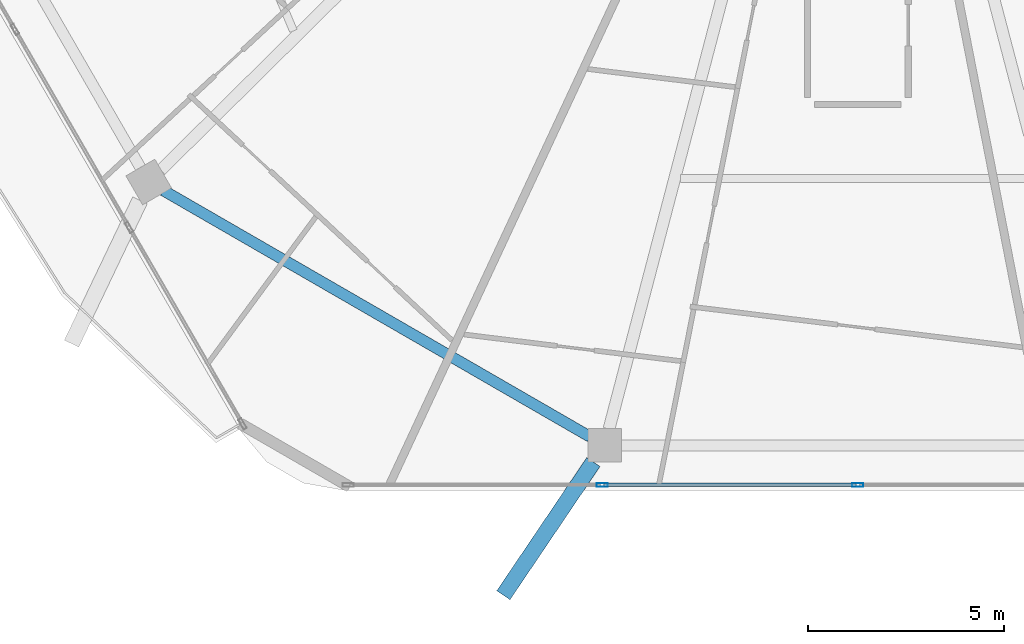
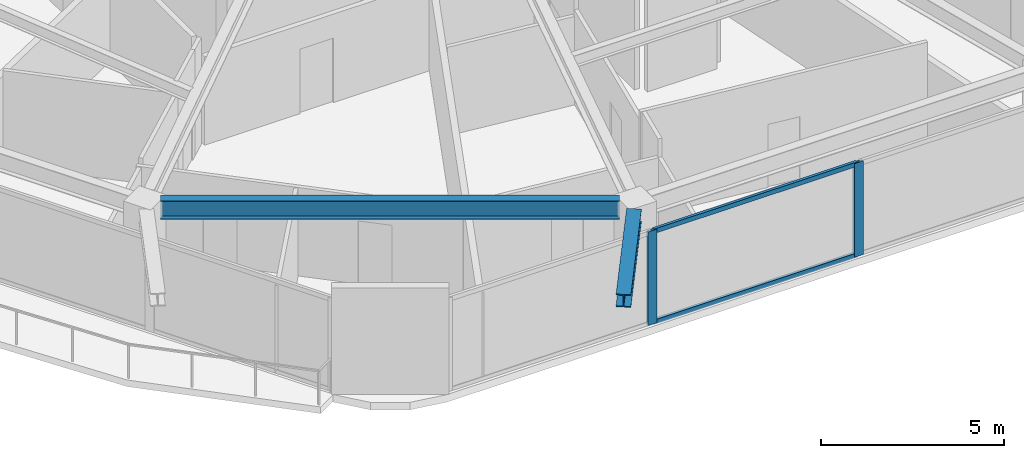
# One storey, part 3 of 26: 4 members, 2 beams, 1 element without a shape of its own.
"""IFC4 building model written with IfcOpenShell, lengths in metres."""

from ifc_helpers import new_model, si_unit, direction, frame, origin, origin_2d, place, context, subcontext, project, spatial, hollow_rectangle, i_section, extrude, material, material_profile, profile_set, type_object, element, aggregate, save


model = new_model("IFC4")

# Units and contexts
model_context = context("Model", 3, precision=1e-05, world=origin(), true_north=direction((0.0, 1.0)))
body_context = subcontext(model_context, "Body", "Model", "MODEL_VIEW")
ifc_project = project(units=[si_unit("LENGTHUNIT", "METRE"), si_unit("AREAUNIT", "SQUARE_METRE"), si_unit("VOLUMEUNIT", "CUBIC_METRE"), si_unit("PLANEANGLEUNIT", "RADIAN"), si_unit("MASSUNIT", "GRAM", prefix="KILO")], contexts=[model_context])

# Site, building, storey
site_placement = place(None, origin())
site = spatial("IfcSite", under=ifc_project, at=site_placement, CompositionType="ELEMENT")
building_placement = place(site_placement, origin())
building = spatial("IfcBuilding", under=site, at=building_placement, Name="Zuhravey Tower", CompositionType="ELEMENT")
storey_placement = place(building_placement, frame((0.0, 0.0, 273.0)))
storey = spatial("IfcBuildingStorey", under=building, at=storey_placement, Name="L69", CompositionType="ELEMENT", Elevation=273.0)

# Curtain wall, members
ifc_material_1 = material(Name="Thermally broken anodised aluminium", Category="aluminium")
curtain_wall_type = type_object("IfcCurtainWallType", Name="Zone 3-4 High-Rise Curtain Wall CW4", PredefinedType="NOTDEFINED", material=ifc_material_1)
curtain_wall_placement = place(storey_placement, origin())
curtain_wall = element("IfcCurtainWall", 1, at=curtain_wall_placement, inside=storey, type_object=curtain_wall_type, Name="L69 CW4 CW-L69-F5-1", PredefinedType="NOTDEFINED")
ifc_material_2 = material(Name="Anodised aluminium", Category="aluminium")
ifc_material_profile_1 = material_profile(ifc_material_2, hollow_rectangle(XDim=0.090087890625, YDim=0.284912109375, WallThickness=0.0048828125, at=origin_2d()), Name="ALU-RHS-90x285x5")
ifc_profile_set_1 = profile_set([ifc_material_profile_1], Name="Anodised aluminium")
member_type_1 = type_object("IfcMemberType", Name="Curtain-Wall Mullion 90x180", PredefinedType="MULLION", material=ifc_profile_set_1)
member_1_placement = place(storey_placement, frame((36.0, 6.436279296875, 0.0), z_axis=(0.0, 0.0, 1.0), x_axis=(0.0, -1.0, 0.0)))
member_1 = element("IfcMember", 2, at=member_1_placement, type_object=member_type_1, Name="CW4 mullion 3", PredefinedType="MULLION", context=body_context, shape_type="SweptSolid", body=[
    extrude(hollow_rectangle(XDim=0.090087890625, YDim=0.284912109375, WallThickness=0.0048828125, at=origin_2d()), origin(), (0.0, 0.0, 1.0), 3.1220703125),
])
member_2_placement = place(storey_placement, frame((29.49365234375, 6.436279296875, 0.0), z_axis=(0.0, 0.0, 1.0), x_axis=(0.0, -1.0, 0.0)))
member_2 = element("IfcMember", 3, at=member_2_placement, type_object=member_type_1, Name="CW4 mullion 4", PredefinedType="MULLION", context=body_context, shape_type="SweptSolid", body=[
    extrude(hollow_rectangle(XDim=0.090087890625, YDim=0.284912109375, WallThickness=0.0048828125, at=origin_2d()), origin(), (0.0, 0.0, 1.0), 3.1220703125),
])
ifc_material_profile_2 = material_profile(ifc_material_2, hollow_rectangle(XDim=0.090087890625, YDim=0.14990234375, WallThickness=0.0048828125, at=origin_2d()), Name="ALU-RHS-90x150x5")
ifc_profile_set_2 = profile_set([ifc_material_profile_2], Name="Anodised aluminium")
member_type_2 = type_object("IfcMemberType", Name="Curtain-Wall Transom 90x150", PredefinedType="USERDEFINED", material=ifc_profile_set_2)
member_3_placement = place(storey_placement, frame((35.955078125, 6.436279296875, 0.044921875), z_axis=(-1.0, 0.0, 0.0), x_axis=(0.0, -1.0, 0.0)))
member_3 = element("IfcMember", 4, at=member_3_placement, type_object=member_type_2, Name="CW4 transom 3.1", ObjectType="TRANSOM", PredefinedType="USERDEFINED", context=body_context, shape_type="SweptSolid", body=[
    extrude(hollow_rectangle(XDim=0.090087890625, YDim=0.14990234375, WallThickness=0.0048828125, at=origin_2d()), origin(), (0.0, 0.0, 1.0), 6.41650390625),
])
member_4_placement = place(storey_placement, frame((35.955078125, 6.436279296875, 3.076904296875), z_axis=(-1.0, 0.0, 0.0), x_axis=(0.0, -1.0, 0.0)))
member_4 = element("IfcMember", 5, at=member_4_placement, type_object=member_type_2, Name="CW4 transom 3.2", ObjectType="TRANSOM", PredefinedType="USERDEFINED", context=body_context, shape_type="SweptSolid", body=[
    extrude(hollow_rectangle(XDim=0.090087890625, YDim=0.14990234375, WallThickness=0.0048828125, at=origin_2d()), origin(), (0.0, 0.0, 1.0), 6.41650390625),
])
aggregate(curtain_wall, [member_1, member_2, member_3, member_4])

# Beams
ifc_material_3 = material(Name="Steel SM460", Category="steel")
ifc_material_profile_3 = material_profile(ifc_material_3, i_section(OverallWidth=0.406982421875, OverallDepth=0.427978515625, WebThickness=0.02001953125, FlangeThickness=0.034912109375, at=origin_2d()), Name="H-428x407x20x35")
ifc_profile_set_3 = profile_set([ifc_material_profile_3], Name="Steel SM460")
beam_type_1 = type_object("IfcBeamType", Name="Exoskeleton Node Tie Beam H428x407", PredefinedType="BEAM", material=ifc_profile_set_3)
beam_1_placement = place(storey_placement, frame((29.269775390625, 7.01806640625, 3.3359375), z_axis=(-0.559909462854, -0.828553796326, 0.0), x_axis=(0.828553796326, -0.559909462854, 0.0)))
element("IfcBeam", 6, at=beam_1_placement, inside=storey, type_object=beam_type_1, Name="L69 Exoskeleton Node Tie NT1-09", PredefinedType="BEAM", context=body_context, shape_type="SweptSolid", body=[
    extrude(i_section(OverallWidth=0.406982421875, OverallDepth=0.427978515625, WebThickness=0.02001953125, FlangeThickness=0.034912109375, at=origin_2d()), origin(), (0.0, 0.0, 1.0), 4.09033203125),
])
ifc_material_4 = material(Name="Steel SM355", Category="steel")
ifc_material_profile_4 = material_profile(ifc_material_4, i_section(OverallWidth=0.280029296875, OverallDepth=0.6201171875, WebThickness=0.011962890625, FlangeThickness=0.02001953125, at=origin_2d()), Name="H-620x280x12x20")
ifc_profile_set_4 = profile_set([ifc_material_profile_4], Name="Steel SM355")
beam_type_2 = type_object("IfcBeamType", Name="Perimeter Ring Beam H620x280", PredefinedType="BEAM", material=ifc_profile_set_4)
beam_2_placement = place(storey_placement, frame((18.3271484375, 13.931396484375, 3.239990234375), z_axis=(0.866018312875, -0.500012281615, 0.0), x_axis=(0.500012281615, 0.866018312875, 0.0)))
element("IfcBeam", 7, at=beam_2_placement, inside=storey, type_object=beam_type_2, Name="L69 PB3 BM-L69-PB-08", PredefinedType="BEAM", context=body_context, shape_type="SweptSolid", body=[
    extrude(i_section(OverallWidth=0.280029296875, OverallDepth=0.6201171875, WebThickness=0.011962890625, FlangeThickness=0.02001953125, at=origin_2d()), origin(), (0.0, 0.0, 1.0), 12.541748046875),
])

save(model, "model.ifc")
